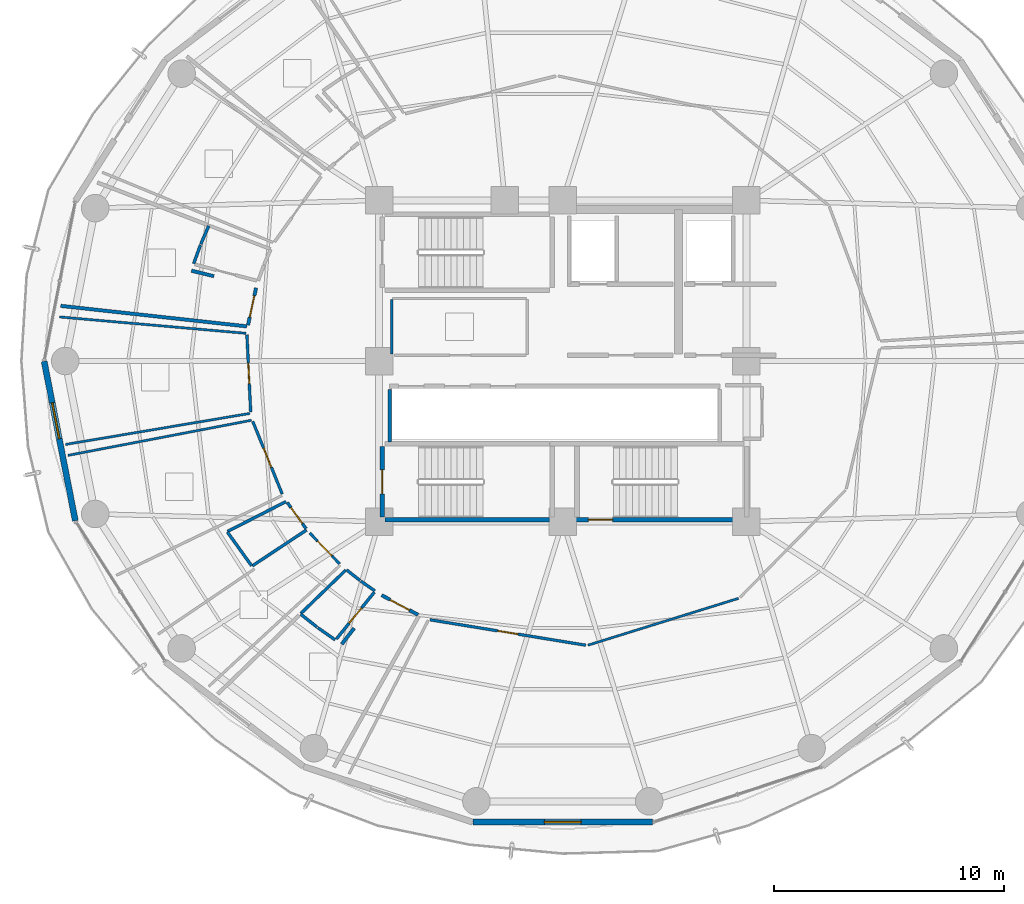
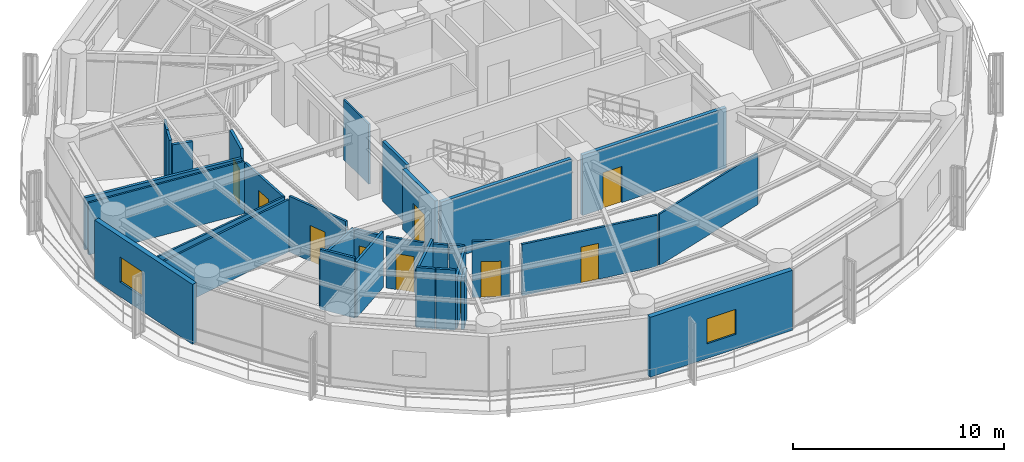
# One storey, part 22 of 28: 32 walls, 10 doors, 2 windows, 12 openings.
"""IFC4 building model written with IfcOpenShell, lengths in metres."""

from ifc_helpers import new_model, si_unit, direction, frame, frame_2d, origin, place, context, subcontext, project, spatial, rectangle, extrude, material, layer, layer_set, type_object, element, fill, save


model = new_model("IFC4")

# Units and contexts
model_context = context("Model", 3, precision=1e-05, world=origin(), true_north=direction((0.0, 1.0)))
body_context = subcontext(model_context, "Body", "Model", "MODEL_VIEW")
ifc_project = project(units=[si_unit("LENGTHUNIT", "METRE"), si_unit("AREAUNIT", "SQUARE_METRE"), si_unit("VOLUMEUNIT", "CUBIC_METRE"), si_unit("PLANEANGLEUNIT", "RADIAN"), si_unit("MASSUNIT", "GRAM", prefix="KILO")], contexts=[model_context])

# Site, building, storey
site_placement = place(None, origin())
site = spatial("IfcSite", under=ifc_project, at=site_placement, CompositionType="ELEMENT")
building_placement = place(site_placement, origin())
building = spatial("IfcBuilding", under=site, at=building_placement, Name="Kelanora Arch Commons", CompositionType="ELEMENT")
storey_placement = place(building_placement, frame((0.0, 0.0, 158.10009765625)))
storey = spatial("IfcBuildingStorey", under=building, at=storey_placement, Name="L40", CompositionType="ELEMENT", Elevation=158.10009765625)

# Wall
ifc_material_1 = material(Name="Autoclaved aerated concrete blockwork with fire plaster", Category="masonry")
ifc_layer_1 = layer(ifc_material_1, 0.14990234375)
ifc_layer_set_1 = layer_set([ifc_layer_1], Name="Autoclaved aerated concrete blockwork with fire plaster")
wall_type_1 = type_object("IfcWallType", Name="W-COMP-150", PredefinedType="PARTITIONING", material=ifc_layer_set_1)
wall_1_placement = place(storey_placement, frame((66.4599609375, 54.47998046875, 0.0), z_axis=(0.0, 0.0, 1.0), x_axis=(0.0, 1.0, 0.0)))
element("IfcWall", 1, at=wall_1_placement, inside=storey, type_object=wall_type_1, Name="South Lift Bank West Wall L40", PredefinedType="PARTITIONING", context=body_context, shape_type="SweptSolid", body=[
    extrude(rectangle(XDim=2.2900390625, YDim=0.14990234375, at=frame_2d((1.14501953125, 0.0))), origin(), (0.0, 0.0, 1.0), 3.47998046875),
])

# Wall, opening, door
wall_2_placement = place(storey_placement, frame((60.63623046875, 61.186279296875, 0.0), z_axis=(0.0, 0.0, 1.0), x_axis=(-0.211879832264, -0.977295726318, 0.0)))
wall_2 = element("IfcWall", 2, at=wall_2_placement, inside=storey, type_object=wall_type_1, Name="Cluster Bedroom L40-03 Entry Partition", PredefinedType="PARTITIONING", context=body_context, shape_type="SweptSolid", body=[
    extrude(rectangle(XDim=1.6591796875, YDim=0.14990234375, at=frame_2d((0.82958984375, 0.0))), origin(), (0.0, 0.0, 1.0), 3.47998046875),
])
opening_1_placement = place(wall_2_placement, frame((0.35498046875, 0.0, 0.0)))
opening_1 = element("IfcOpeningElement", 3, at=opening_1_placement, cuts=wall_2, Name="Opening D-CLU1", PredefinedType="OPENING", context=body_context, shape_type="SweptSolid", body=[
    extrude(rectangle(XDim=0.949951171875, YDim=2.080078125, at=frame_2d((0.47509765625, 1.0400390625))), frame((0.0, 0.0849609375, 0.0), z_axis=(0.0, -1.0, 0.0), x_axis=(1.0, 0.0, 0.0)), (0.0, 0.0, 1.0), 0.169921875),
])
ifc_material_2 = material(Name="Solid-core acoustic timber cluster entry fire door", Category="wood")
door_type_1 = type_object("IfcDoorType", Name="D-CLU-95", OperationType="NOTDEFINED", PredefinedType="DOOR", material=ifc_material_2)
door_1_placement = place(opening_1_placement, origin())
door_1 = element("IfcDoor", 4, at=door_1_placement, inside=storey, type_object=door_type_1, Name="Cluster Bedroom L40-03 Door", OperationType="SINGLE_SWING_RIGHT", OverallHeight=2.080078125, OverallWidth=0.949951171875, PredefinedType="DOOR", context=body_context, shape_type="SweptSolid", body=[
    extrude(rectangle(XDim=0.949951171875, YDim=2.080078125, at=frame_2d((0.47509765625, 1.0400390625))), frame((0.0, 0.02490234375, 0.0), z_axis=(0.0, -1.0, 0.0), x_axis=(1.0, 0.0, 0.0)), (0.0, 0.0, 1.0), 0.050048828125),
])
fill(opening_1, door_1)

wall_3_placement = place(storey_placement, frame((66.105712890625, 47.798583984375, 0.0), z_axis=(0.0, 0.0, 1.0), x_axis=(0.880052757217, -0.474875925389, 0.0)))
wall_3 = element("IfcWall", 5, at=wall_3_placement, inside=storey, type_object=wall_type_1, Name="Cluster Bedroom L40-07 Entry Partition", PredefinedType="PARTITIONING", context=body_context, shape_type="SweptSolid", body=[
    extrude(rectangle(XDim=1.800537109375, YDim=0.14990234375, at=frame_2d((0.900390625, 0.0))), origin(), (0.0, 0.0, 1.0), 3.23486328125),
])
opening_2_placement = place(wall_3_placement, frame((0.425048828125, 0.0, 0.0)))
opening_2 = element("IfcOpeningElement", 6, at=opening_2_placement, cuts=wall_3, Name="Opening D-CLU1", PredefinedType="OPENING", context=body_context, shape_type="SweptSolid", body=[
    extrude(rectangle(XDim=0.949951171875, YDim=2.080078125, at=frame_2d((0.47509765625, 1.0400390625))), frame((0.0, 0.0849609375, 0.0), z_axis=(0.0, -1.0, 0.0), x_axis=(1.0, 0.0, 0.0)), (0.0, 0.0, 1.0), 0.169921875),
])
door_2_placement = place(opening_2_placement, origin())
door_2 = element("IfcDoor", 7, at=door_2_placement, inside=storey, type_object=door_type_1, Name="Cluster Bedroom L40-07 Door", OperationType="SINGLE_SWING_RIGHT", OverallHeight=2.080078125, OverallWidth=0.949951171875, PredefinedType="DOOR", context=body_context, shape_type="SweptSolid", body=[
    extrude(rectangle(XDim=0.949951171875, YDim=2.080078125, at=frame_2d((0.47509765625, 1.0400390625))), frame((0.0, 0.02490234375, 0.0), z_axis=(0.0, -1.0, 0.0), x_axis=(1.0, 0.0, 0.0)), (0.0, 0.0, 1.0), 0.050048828125),
])
fill(opening_2, door_2)

# Walls
wall_4_placement = place(storey_placement, frame((60.232177734375, 59.510498046875, 0.0), z_axis=(0.0, 0.0, 1.0), x_axis=(-0.993990557846, 0.109465843587, 0.0)))
element("IfcWall", 8, at=wall_4_placement, inside=storey, type_object=wall_type_1, Name="Cluster Bedroom L40-03 Enclosure Partition 2", PredefinedType="PARTITIONING", context=body_context, shape_type="SweptSolid", body=[
    extrude(rectangle(XDim=8.158447265625, YDim=0.14990234375, at=frame_2d((4.0791015625, 0.0))), origin(), (0.0, 0.0, 1.0), 3.02490234375),
])
wall_5_placement = place(storey_placement, frame((57.82080078125, 61.935546875, 0.0), z_axis=(0.0, 0.0, 1.0), x_axis=(0.971451046406, -0.237240098712, 0.0)))
element("IfcWall", 9, at=wall_5_placement, inside=storey, type_object=wall_type_1, Name="Cluster Bedroom L40-03 Enclosure Partition 7", PredefinedType="PARTITIONING", context=body_context, shape_type="SweptSolid", body=[
    extrude(rectangle(XDim=1.009521484375, YDim=0.14990234375, at=frame_2d((0.5048828125, 0.0))), origin(), (0.0, 0.0, 1.0), 3.1748046875),
])
wall_6_placement = place(storey_placement, frame((64.37060546875, 45.66357421875, 0.0), z_axis=(0.0, 0.0, 1.0), x_axis=(0.613921364126, 0.789367188747, 0.0)))
element("IfcWall", 10, at=wall_6_placement, inside=storey, type_object=wall_type_1, Name="Cluster Bedroom L40-07 Enclosure Partition 7", PredefinedType="PARTITIONING", context=body_context, shape_type="SweptSolid", body=[
    extrude(rectangle(XDim=0.878173828125, YDim=0.14990234375, at=frame_2d((0.43896484375, 0.0))), origin(), (0.0, 0.0, 1.0), 2.974853515625),
])

# Wall, opening, window
ifc_material_3 = material(Name="Precast concrete C40/50 with terracotta rainscreen", Category="masonry")
ifc_layer_2 = layer(ifc_material_3, 0.260009765625)
ifc_layer_set_2 = layer_set([ifc_layer_2], Name="Precast concrete C40/50 with terracotta rainscreen")
wall_type_2 = type_object("IfcWallType", Name="W-EXT-TC", PredefinedType="SOLIDWALL", material=ifc_layer_set_2)
wall_7_placement = place(storey_placement, frame((51.40283203125, 57.9853515625, 0.0), z_axis=(0.0, 0.0, 1.0), x_axis=(0.191716984769, -0.981450252306, 0.0)))
wall_7 = element("IfcWall", 11, at=wall_7_placement, inside=storey, type_object=wall_type_2, Name="Terracotta Exterior Wall L40-B09", PredefinedType="SOLIDWALL", context=body_context, shape_type="SweptSolid", body=[
    extrude(rectangle(XDim=7.0791015625, YDim=0.260009765625, at=frame_2d((3.53955078125, 0.0))), origin(), (0.0, 0.0, 1.0), 3.474853515625),
])
opening_3_placement = place(wall_7_placement, frame((1.840087890625, 0.0, 0.85009765625)))
opening_3 = element("IfcOpeningElement", 12, at=opening_3_placement, cuts=wall_7, Name="Opening WN-01", PredefinedType="OPENING", context=body_context, shape_type="SweptSolid", body=[
    extrude(rectangle(XDim=1.60009765625, YDim=1.449951171875, at=frame_2d((0.800048828125, 0.72509765625))), frame((0.0, 0.14013671875, 0.0), z_axis=(0.0, -1.0, 0.0), x_axis=(1.0, 0.0, 0.0)), (0.0, 0.0, 1.0), 0.280029296875),
])
ifc_material_4 = material(Name="Terracotta-anodised aluminium frame with operable low-E glazing", Category="masonry")
window_type = type_object("IfcWindowType", Name="WIN-CL-18", PartitioningType="DOUBLE_PANEL_VERTICAL", PredefinedType="WINDOW", material=ifc_material_4)
window_1_placement = place(opening_3_placement, origin())
window_1 = element("IfcWindow", 13, at=window_1_placement, inside=storey, type_object=window_type, Name="Co-Living Operable Window L40-B09", OverallHeight=1.449951171875, OverallWidth=1.60009765625, PartitioningType="SINGLE_PANEL", PredefinedType="WINDOW", context=body_context, shape_type="SweptSolid", body=[
    extrude(rectangle(XDim=1.60009765625, YDim=1.449951171875, at=frame_2d((0.800048828125, 0.72509765625))), frame((0.0, 0.030029296875, 0.0), z_axis=(0.0, -1.0, 0.0), x_axis=(1.0, 0.0, 0.0)), (0.0, 0.0, 1.0), 0.06005859375),
])
fill(opening_3, window_1)

wall_8_placement = place(storey_placement, frame((70.090576171875, 37.909912109375, 0.0), z_axis=(0.0, 0.0, 1.0), x_axis=(1.0, 0.0, 0.0)))
wall_8 = element("IfcWall", 14, at=wall_8_placement, inside=storey, type_object=wall_type_2, Name="Terracotta Exterior Wall L40-B13", PredefinedType="SOLIDWALL", context=body_context, shape_type="SweptSolid", body=[
    extrude(rectangle(XDim=7.81884765625, YDim=0.260009765625, at=frame_2d((3.909423828125, 0.0))), origin(), (0.0, 0.0, 1.0), 3.474853515625),
])
opening_4_placement = place(wall_8_placement, frame((3.10888671875, 0.0, 0.85009765625)))
opening_4 = element("IfcOpeningElement", 15, at=opening_4_placement, cuts=wall_8, Name="Opening WN-01", PredefinedType="OPENING", context=body_context, shape_type="SweptSolid", body=[
    extrude(rectangle(XDim=1.60009765625, YDim=1.449951171875, at=frame_2d((0.800048828125, 0.72509765625))), frame((0.0, 0.14013671875, 0.0), z_axis=(0.0, -1.0, 0.0), x_axis=(1.0, 0.0, 0.0)), (0.0, 0.0, 1.0), 0.280029296875),
])
window_2_placement = place(opening_4_placement, origin())
window_2 = element("IfcWindow", 16, at=window_2_placement, inside=storey, type_object=window_type, Name="Co-Living Operable Window L40-B13", OverallHeight=1.449951171875, OverallWidth=1.60009765625, PartitioningType="SINGLE_PANEL", PredefinedType="WINDOW", context=body_context, shape_type="SweptSolid", body=[
    extrude(rectangle(XDim=1.60009765625, YDim=1.449951171875, at=frame_2d((0.800048828125, 0.72509765625))), frame((0.0, 0.030029296875, 0.0), z_axis=(0.0, -1.0, 0.0), x_axis=(1.0, 0.0, 0.0)), (0.0, 0.0, 1.0), 0.06005859375),
])
fill(opening_4, window_2)

# Walls
ifc_material_5 = material(Name="Lightweight fire-rated acoustic stud partition")
ifc_layer_3 = layer(ifc_material_5, 0.10009765625)
ifc_layer_set_3 = layer_set([ifc_layer_3], Name="Lightweight fire-rated acoustic stud partition")
wall_type_3 = type_object("IfcWallType", Name="W-PART-100", PredefinedType="PARTITIONING", material=ifc_layer_set_3)
wall_9_placement = place(storey_placement, frame((66.550048828125, 60.679931640625, 0.0), z_axis=(0.0, 0.0, 1.0), x_axis=(0.0, -1.0, 0.0)))
element("IfcWall", 17, at=wall_9_placement, inside=storey, type_object=wall_type_3, Name="Reclaimed Core Study Pod Lounge L40 Enclosure Partition 4", PredefinedType="PARTITIONING", context=body_context, shape_type="SweptSolid", body=[
    extrude(rectangle(XDim=2.383056640625, YDim=0.10009765625, at=frame_2d((1.19140625, 0.0))), origin(), (0.0, 0.0, 1.0), 3.47998046875),
])
wall_10_placement = place(storey_placement, frame((75.09912109375, 45.618896484375, 0.0), z_axis=(0.0, 0.0, 1.0), x_axis=(0.95483862135, 0.297124901647, 0.0)))
element("IfcWall", 18, at=wall_10_placement, inside=storey, type_object=wall_type_3, Name="South-East Social Sky Lounge L40 Enclosure Partition 2", PredefinedType="PARTITIONING", context=body_context, shape_type="SweptSolid", body=[
    extrude(rectangle(XDim=6.86669921875, YDim=0.10009765625, at=frame_2d((3.433349609375, 0.0))), origin(), (0.0, 0.0, 1.0), 2.974853515625),
])
wall_11_placement = place(storey_placement, frame((60.364501953125, 55.71630859375, 0.0), z_axis=(0.0, 0.0, 1.0), x_axis=(-0.986127701838, -0.165988420279, 0.0)))
element("IfcWall", 19, at=wall_11_placement, inside=storey, type_object=wall_type_3, Name="Quiet Seminar Study Room L40-04 Enclosure Partition 2", PredefinedType="PARTITIONING", context=body_context, shape_type="SweptSolid", body=[
    extrude(rectangle(XDim=8.14404296875, YDim=0.10009765625, at=frame_2d((4.072021484375, 0.0))), origin(), (0.0, 0.0, 1.0), 3.02490234375),
])
wall_12_placement = place(storey_placement, frame((52.063720703125, 59.92138671875, 0.0), z_axis=(0.0, 0.0, 1.0), x_axis=(0.996168646625, -0.087453001553, 0.0)))
element("IfcWall", 20, at=wall_12_placement, inside=storey, type_object=wall_type_3, Name="Quiet Seminar Study Room L40-04 Enclosure Partition 4", PredefinedType="PARTITIONING", context=body_context, shape_type="SweptSolid", body=[
    extrude(rectangle(XDim=8.162841796875, YDim=0.10009765625, at=frame_2d((4.08154296875, 0.0))), origin(), (0.0, 0.0, 1.0), 3.02490234375),
])
wall_13_placement = place(storey_placement, frame((52.438232421875, 53.888427734375, 0.0), z_axis=(0.0, 0.0, 1.0), x_axis=(0.982187250003, 0.187904778897, 0.0)))
element("IfcWall", 21, at=wall_13_placement, inside=storey, type_object=wall_type_3, Name="Social Sky Lounge L40-05 Enclosure Partition 4", PredefinedType="PARTITIONING", context=body_context, shape_type="SweptSolid", body=[
    extrude(rectangle(XDim=8.137451171875, YDim=0.10009765625, at=frame_2d((4.06884765625, 0.0))), origin(), (0.0, 0.0, 1.0), 3.02490234375),
])

# Wall, opening, door
ifc_material_6 = material(Name="Acoustic twin-stud fire-rated gypsum partition")
ifc_layer_4 = layer(ifc_material_6, 0.1201171875)
ifc_layer_set_4 = layer_set([ifc_layer_4], Name="Acoustic twin-stud fire-rated gypsum partition")
wall_type_4 = type_object("IfcWallType", Name="W-PART-120", PredefinedType="PARTITIONING", material=ifc_layer_set_4)
wall_14_placement = place(storey_placement, frame((68.214111328125, 46.725341796875, 0.0), z_axis=(0.0, 0.0, 1.0), x_axis=(0.986922164317, -0.161197523493, 0.0)))
wall_14 = element("IfcWall", 22, at=wall_14_placement, inside=storey, type_object=wall_type_4, Name="South-East Social Sky Lounge L40 Entry Partition", PredefinedType="PARTITIONING", context=body_context, shape_type="SweptSolid", body=[
    extrude(rectangle(XDim=6.87744140625, YDim=0.1201171875, at=frame_2d((3.438720703125, 0.0))), origin(), (0.0, 0.0, 1.0), 2.974853515625),
])
opening_5_placement = place(wall_14_placement, frame((2.989013671875, 0.0, 0.0)))
opening_5 = element("IfcOpeningElement", 23, at=opening_5_placement, cuts=wall_14, Name="Opening D-RM1", PredefinedType="OPENING", context=body_context, shape_type="SweptSolid", body=[
    extrude(rectangle(XDim=0.89990234375, YDim=2.080078125, at=frame_2d((0.449951171875, 1.0400390625))), frame((0.0, 0.070068359375, 0.0), z_axis=(0.0, -1.0, 0.0), x_axis=(1.0, 0.0, 0.0)), (0.0, 0.0, 1.0), 0.14013671875),
])
ifc_material_7 = material(Name="Acoustic fire-rated timber study and lounge door", Category="wood")
door_type_2 = type_object("IfcDoorType", Name="D-ROOM-90", OperationType="NOTDEFINED", PredefinedType="DOOR", material=ifc_material_7)
door_3_placement = place(opening_5_placement, origin())
door_3 = element("IfcDoor", 24, at=door_3_placement, inside=storey, type_object=door_type_2, Name="South-East Social Sky Lounge L40 Door", OperationType="SINGLE_SWING_RIGHT", OverallHeight=2.080078125, OverallWidth=0.89990234375, PredefinedType="DOOR", context=body_context, shape_type="SweptSolid", body=[
    extrude(rectangle(XDim=0.89990234375, YDim=2.080078125, at=frame_2d((0.449951171875, 1.0400390625))), frame((0.0, 0.02490234375, 0.0), z_axis=(0.0, -1.0, 0.0), x_axis=(1.0, 0.0, 0.0)), (0.0, 0.0, 1.0), 0.050048828125),
])
fill(opening_5, door_3)

wall_15_placement = place(storey_placement, frame((60.23779296875, 59.14404296875, 0.0), z_axis=(0.0, 0.0, 1.0), x_axis=(0.048537190422, -0.998821375996, 0.0)))
wall_15 = element("IfcWall", 25, at=wall_15_placement, inside=storey, type_object=wall_type_4, Name="Quiet Seminar Study Room L40-04 Entry Partition", PredefinedType="PARTITIONING", context=body_context, shape_type="SweptSolid", body=[
    extrude(rectangle(XDim=3.364990234375, YDim=0.1201171875, at=frame_2d((1.6826171875, 0.0))), origin(), (0.0, 0.0, 1.0), 2.974853515625),
])
opening_6_placement = place(wall_15_placement, frame((1.23291015625, 0.0, 0.0)))
opening_6 = element("IfcOpeningElement", 26, at=opening_6_placement, cuts=wall_15, Name="Opening D-RM1", PredefinedType="OPENING", context=body_context, shape_type="SweptSolid", body=[
    extrude(rectangle(XDim=0.89990234375, YDim=2.080078125, at=frame_2d((0.449951171875, 1.0400390625))), frame((0.0, 0.070068359375, 0.0), z_axis=(0.0, -1.0, 0.0), x_axis=(1.0, 0.0, 0.0)), (0.0, 0.0, 1.0), 0.14013671875),
])
door_4_placement = place(opening_6_placement, origin())
door_4 = element("IfcDoor", 27, at=door_4_placement, inside=storey, type_object=door_type_2, Name="Quiet Seminar Study Room L40-04 Door", OperationType="SINGLE_SWING_LEFT", OverallHeight=2.080078125, OverallWidth=0.89990234375, PredefinedType="DOOR", context=body_context, shape_type="SweptSolid", body=[
    extrude(rectangle(XDim=0.89990234375, YDim=2.080078125, at=frame_2d((0.449951171875, 1.0400390625))), frame((0.0, 0.02490234375, 0.0), z_axis=(0.0, -1.0, 0.0), x_axis=(1.0, 0.0, 0.0)), (0.0, 0.0, 1.0), 0.050048828125),
])
fill(opening_6, door_4)

wall_16_placement = place(storey_placement, frame((60.492431640625, 55.369384765625, 0.0), z_axis=(0.0, 0.0, 1.0), x_axis=(0.3756420079, -0.926764847143, 0.0)))
wall_16 = element("IfcWall", 28, at=wall_16_placement, inside=storey, type_object=wall_type_4, Name="Social Sky Lounge L40-05 Entry Partition", PredefinedType="PARTITIONING", context=body_context, shape_type="SweptSolid", body=[
    extrude(rectangle(XDim=3.412841796875, YDim=0.1201171875, at=frame_2d((1.70654296875, 0.0))), origin(), (0.0, 0.0, 1.0), 3.23486328125),
])
opening_7_placement = place(wall_16_placement, frame((1.256103515625, 0.0, 0.0)))
opening_7 = element("IfcOpeningElement", 29, at=opening_7_placement, cuts=wall_16, Name="Opening D-RM1", PredefinedType="OPENING", context=body_context, shape_type="SweptSolid", body=[
    extrude(rectangle(XDim=0.89990234375, YDim=2.080078125, at=frame_2d((0.449951171875, 1.0400390625))), frame((0.0, 0.070068359375, 0.0), z_axis=(0.0, -1.0, 0.0), x_axis=(1.0, 0.0, 0.0)), (0.0, 0.0, 1.0), 0.14013671875),
])
door_5_placement = place(opening_7_placement, origin())
door_5 = element("IfcDoor", 30, at=door_5_placement, inside=storey, type_object=door_type_2, Name="Social Sky Lounge L40-05 Door", OperationType="SINGLE_SWING_RIGHT", OverallHeight=2.080078125, OverallWidth=0.89990234375, PredefinedType="DOOR", context=body_context, shape_type="SweptSolid", body=[
    extrude(rectangle(XDim=0.89990234375, YDim=2.080078125, at=frame_2d((0.449951171875, 1.0400390625))), frame((0.0, 0.02490234375, 0.0), z_axis=(0.0, -1.0, 0.0), x_axis=(1.0, 0.0, 0.0)), (0.0, 0.0, 1.0), 0.050048828125),
])
fill(opening_7, door_5)

wall_17_placement = place(storey_placement, frame((62.976806640625, 50.5, 0.0), z_axis=(0.0, 0.0, 1.0), x_axis=(0.69801962686, -0.71607862733, 0.0)))
wall_17 = element("IfcWall", 31, at=wall_17_placement, inside=storey, type_object=wall_type_4, Name="Tutorial Study Alcove L40-06 Entry Partition", PredefinedType="PARTITIONING", context=body_context, shape_type="SweptSolid", body=[
    extrude(rectangle(XDim=1.86572265625, YDim=0.1201171875, at=frame_2d((0.932861328125, 0.0))), origin(), (0.0, 0.0, 1.0), 2.974853515625),
])
opening_8_placement = place(wall_17_placement, frame((0.48291015625, 0.0, 0.0)))
opening_8 = element("IfcOpeningElement", 32, at=opening_8_placement, cuts=wall_17, Name="Opening D-RM1", PredefinedType="OPENING", context=body_context, shape_type="SweptSolid", body=[
    extrude(rectangle(XDim=0.89990234375, YDim=2.080078125, at=frame_2d((0.449951171875, 1.0400390625))), frame((0.0, 0.070068359375, 0.0), z_axis=(0.0, -1.0, 0.0), x_axis=(1.0, 0.0, 0.0)), (0.0, 0.0, 1.0), 0.14013671875),
])
door_6_placement = place(opening_8_placement, origin())
door_6 = element("IfcDoor", 33, at=door_6_placement, inside=storey, type_object=door_type_2, Name="Tutorial Study Alcove L40-06 Door", OperationType="SINGLE_SWING_RIGHT", OverallHeight=2.080078125, OverallWidth=0.89990234375, PredefinedType="DOOR", context=body_context, shape_type="SweptSolid", body=[
    extrude(rectangle(XDim=0.89990234375, YDim=2.080078125, at=frame_2d((0.449951171875, 1.0400390625))), frame((0.0, 0.02490234375, 0.0), z_axis=(0.0, -1.0, 0.0), x_axis=(1.0, 0.0, 0.0)), (0.0, 0.0, 1.0), 0.050048828125),
])
fill(opening_8, door_6)

ifc_material_8 = material(Name="Concrete C40/50", Category="concrete")
ifc_layer_5 = layer(ifc_material_8, 0.199951171875)
ifc_layer_set_5 = layer_set([ifc_layer_5], Name="Concrete C40/50")
wall_type_5 = type_object("IfcWallType", Name="W-STAIR-200", PredefinedType="SHEAR", material=ifc_layer_set_5)
wall_18_placement = place(storey_placement, frame((74.0, 51.080078125, 0.0), z_axis=(0.0, 0.0, 1.0), x_axis=(1.0, 0.0, 0.0)))
wall_18 = element("IfcWall", 34, at=wall_18_placement, inside=storey, type_object=wall_type_5, Name="Stair ST-T2 Shaft Wall S L40", PredefinedType="SHEAR", context=body_context, shape_type="SweptSolid", body=[
    extrude(rectangle(XDim=7.89990234375, YDim=0.199951171875, at=frame_2d((3.949951171875, 0.0))), origin(), (0.0, 0.0, 1.0), 3.489990234375),
])
opening_9_placement = place(wall_18_placement, frame((1.1201171875, 0.0, 0.0)))
opening_9 = element("IfcOpeningElement", 35, at=opening_9_placement, cuts=wall_18, Name="Opening D-ST1", PredefinedType="OPENING", context=body_context, shape_type="SweptSolid", body=[
    extrude(rectangle(XDim=1.050048828125, YDim=2.10009765625, at=frame_2d((0.52490234375, 1.050048828125))), frame((0.0, 0.10986328125, 0.0), z_axis=(0.0, -1.0, 0.0), x_axis=(1.0, 0.0, 0.0)), (0.0, 0.0, 1.0), 0.219970703125),
])
ifc_material_9 = material(Name="Steel fire-rated stairwell escape door", Category="steel")
door_type_3 = type_object("IfcDoorType", Name="D-STAIR-110", OperationType="NOTDEFINED", PredefinedType="DOOR", material=ifc_material_9)
door_7_placement = place(opening_9_placement, origin())
door_7 = element("IfcDoor", 36, at=door_7_placement, inside=storey, type_object=door_type_3, Name="Stair ST-T2 Escape Door L40", OperationType="SINGLE_SWING_LEFT", OverallHeight=2.10009765625, OverallWidth=1.050048828125, PredefinedType="DOOR", context=body_context, shape_type="SweptSolid", body=[
    extrude(rectangle(XDim=1.050048828125, YDim=2.10009765625, at=frame_2d((0.52490234375, 1.050048828125))), frame((0.0, 0.02490234375, 0.0), z_axis=(0.0, -1.0, 0.0), x_axis=(1.0, 0.0, 0.0)), (0.0, 0.0, 1.0), 0.050048828125),
])
fill(opening_9, door_7)

# Wall
wall_19_placement = place(storey_placement, frame((66.260009765625, 51.080078125, 0.0), z_axis=(0.0, 0.0, 1.0), x_axis=(1.0, 0.0, 0.0)))
element("IfcWall", 37, at=wall_19_placement, inside=storey, type_object=wall_type_5, Name="Stair ST-T3 Shaft Wall S L40", PredefinedType="SHEAR", context=body_context, shape_type="SweptSolid", body=[
    extrude(rectangle(XDim=7.159912109375, YDim=0.199951171875, at=frame_2d((3.580078125, 0.0))), origin(), (0.0, 0.0, 1.0), 3.489990234375),
])

# Wall, opening, door
wall_20_placement = place(storey_placement, frame((66.139892578125, 54.27001953125, 0.0), z_axis=(0.0, 0.0, 1.0), x_axis=(0.0, -1.0, 0.0)))
wall_20 = element("IfcWall", 38, at=wall_20_placement, inside=storey, type_object=wall_type_5, Name="Stair ST-T3 Shaft Wall W L40", PredefinedType="SHEAR", context=body_context, shape_type="SweptSolid", body=[
    extrude(rectangle(XDim=3.070068359375, YDim=0.199951171875, at=frame_2d((1.53515625, 0.0))), origin(), (0.0, 0.0, 1.0), 3.489990234375),
])
opening_10_placement = place(wall_20_placement, frame((1.010009765625, 0.0, 0.0)))
opening_10 = element("IfcOpeningElement", 39, at=opening_10_placement, cuts=wall_20, Name="Opening D-ST1", PredefinedType="OPENING", context=body_context, shape_type="SweptSolid", body=[
    extrude(rectangle(XDim=1.050048828125, YDim=2.10009765625, at=frame_2d((0.52490234375, 1.050048828125))), frame((0.0, 0.10986328125, 0.0), z_axis=(0.0, -1.0, 0.0), x_axis=(1.0, 0.0, 0.0)), (0.0, 0.0, 1.0), 0.219970703125),
])
door_8_placement = place(opening_10_placement, origin())
door_8 = element("IfcDoor", 40, at=door_8_placement, inside=storey, type_object=door_type_3, Name="Stair ST-T3 Escape Door L40", OperationType="SINGLE_SWING_LEFT", OverallHeight=2.10009765625, OverallWidth=1.050048828125, PredefinedType="DOOR", context=body_context, shape_type="SweptSolid", body=[
    extrude(rectangle(XDim=1.050048828125, YDim=2.10009765625, at=frame_2d((0.52490234375, 1.050048828125))), frame((0.0, 0.02490234375, 0.0), z_axis=(0.0, -1.0, 0.0), x_axis=(1.0, 0.0, 0.0)), (0.0, 0.0, 1.0), 0.050048828125),
])
fill(opening_10, door_8)

ifc_material_10 = material(Name="Moisture-resistant fire-rated cement-board plumbing wall")
ifc_layer_6 = layer(ifc_material_10, 0.1298828125)
ifc_layer_set_6 = layer_set([ifc_layer_6], Name="Moisture-resistant fire-rated cement-board plumbing wall")
wall_type_6 = type_object("IfcWallType", Name="W-WET-120", PredefinedType="PLUMBINGWALL", material=ifc_layer_set_6)
wall_21_placement = place(storey_placement, frame((61.9951171875, 51.836181640625, 0.0), z_axis=(0.0, 0.0, 1.0), x_axis=(0.583589438572, -0.81204886995, 0.0)))
wall_21 = element("IfcWall", 41, at=wall_21_placement, inside=storey, type_object=wall_type_6, Name="Accessible Shared Floor WC L40-06 Entry Partition", PredefinedType="PLUMBINGWALL", context=body_context, shape_type="SweptSolid", body=[
    extrude(rectangle(XDim=1.403076171875, YDim=0.1298828125, at=frame_2d((0.70166015625, 0.0))), origin(), (0.0, 0.0, 1.0), 2.974853515625),
])
opening_11_placement = place(wall_21_placement, frame((0.27197265625, 0.0, 0.0)))
opening_11 = element("IfcOpeningElement", 42, at=opening_11_placement, cuts=wall_21, Name="Opening D-BT1", PredefinedType="OPENING", context=body_context, shape_type="SweptSolid", body=[
    extrude(rectangle(XDim=0.860107421875, YDim=2.050048828125, at=frame_2d((0.43017578125, 1.02490234375))), frame((0.0, 0.074951171875, 0.0), z_axis=(0.0, -1.0, 0.0), x_axis=(1.0, 0.0, 0.0)), (0.0, 0.0, 1.0), 0.14990234375),
])
ifc_material_11 = material(Name="Moisture-sealed fire-rated accessible bathroom door")
door_type_4 = type_object("IfcDoorType", Name="D-BATH-85", OperationType="NOTDEFINED", PredefinedType="DOOR", material=ifc_material_11)
door_9_placement = place(opening_11_placement, origin())
door_9 = element("IfcDoor", 43, at=door_9_placement, inside=storey, type_object=door_type_4, Name="Accessible Shared Floor WC L40-06 Door", OperationType="SINGLE_SWING_LEFT", OverallHeight=2.050048828125, OverallWidth=0.860107421875, PredefinedType="DOOR", context=body_context, shape_type="SweptSolid", body=[
    extrude(rectangle(XDim=0.860107421875, YDim=2.050048828125, at=frame_2d((0.43017578125, 1.02490234375))), frame((0.0, 0.02490234375, 0.0), z_axis=(0.0, -1.0, 0.0), x_axis=(1.0, 0.0, 0.0)), (0.0, 0.0, 1.0), 0.050048828125),
])
fill(opening_11, door_9)

wall_22_placement = place(storey_placement, frame((65.789306640625, 47.926513671875, 0.0), z_axis=(0.0, 0.0, 1.0), x_axis=(-0.630358119741, -0.776304476914, 0.0)))
wall_22 = element("IfcWall", 44, at=wall_22_placement, inside=storey, type_object=wall_type_6, Name="En-Suite Shower WC L40-07 Entry Partition", PredefinedType="PLUMBINGWALL", context=body_context, shape_type="SweptSolid", body=[
    extrude(rectangle(XDim=2.626220703125, YDim=0.1298828125, at=frame_2d((1.31298828125, 0.0))), origin(), (0.0, 0.0, 1.0), 2.974853515625),
])
opening_12_placement = place(wall_22_placement, frame((0.883056640625, 0.0, 0.0)))
opening_12 = element("IfcOpeningElement", 45, at=opening_12_placement, cuts=wall_22, Name="Opening D-BT1", PredefinedType="OPENING", context=body_context, shape_type="SweptSolid", body=[
    extrude(rectangle(XDim=0.860107421875, YDim=2.050048828125, at=frame_2d((0.43017578125, 1.02490234375))), frame((0.0, 0.074951171875, 0.0), z_axis=(0.0, -1.0, 0.0), x_axis=(1.0, 0.0, 0.0)), (0.0, 0.0, 1.0), 0.14990234375),
])
door_10_placement = place(opening_12_placement, origin())
door_10 = element("IfcDoor", 46, at=door_10_placement, inside=storey, type_object=door_type_4, Name="En-Suite Shower WC L40-07 Door", OperationType="SINGLE_SWING_LEFT", OverallHeight=2.050048828125, OverallWidth=0.860107421875, PredefinedType="DOOR", context=body_context, shape_type="SweptSolid", body=[
    extrude(rectangle(XDim=0.860107421875, YDim=2.050048828125, at=frame_2d((0.43017578125, 1.02490234375))), frame((0.0, 0.02490234375, 0.0), z_axis=(0.0, -1.0, 0.0), x_axis=(1.0, 0.0, 0.0)), (0.0, 0.0, 1.0), 0.050048828125),
])
fill(opening_12, door_10)

# Walls
wall_23_placement = place(storey_placement, frame((57.918701171875, 62.243896484375, 0.0), z_axis=(0.0, 0.0, 1.0), x_axis=(0.339790338004, 0.9405012101, 0.0)))
element("IfcWall", 47, at=wall_23_placement, inside=storey, type_object=wall_type_6, Name="En-Suite Shower WC L40-03 Enclosure Partition 4", PredefinedType="PLUMBINGWALL", context=body_context, shape_type="SweptSolid", body=[
    extrude(rectangle(XDim=0.863525390625, YDim=0.1298828125, at=frame_2d((0.431640625, 0.0))), origin(), (0.0, 0.0, 1.0), 3.1748046875),
])
wall_24_placement = place(storey_placement, frame((58.22705078125, 63.09326171875, 0.0), z_axis=(0.0, 0.0, 1.0), x_axis=(0.39925148709, 0.916841453064, 0.0)))
element("IfcWall", 48, at=wall_24_placement, inside=storey, type_object=wall_type_6, Name="En-Suite Shower WC L40-03 Enclosure Partition 5", PredefinedType="PLUMBINGWALL", context=body_context, shape_type="SweptSolid", body=[
    extrude(rectangle(XDim=0.866455078125, YDim=0.1298828125, at=frame_2d((0.43310546875, 0.0))), origin(), (0.0, 0.0, 1.0), 3.1748046875),
])
wall_25_placement = place(storey_placement, frame((62.832275390625, 50.636962890625, 0.0), z_axis=(0.0, 0.0, 1.0), x_axis=(-0.833743735775, -0.55215159427, 0.0)))
element("IfcWall", 49, at=wall_25_placement, inside=storey, type_object=wall_type_6, Name="Accessible Shared Floor WC L40-06 Enclosure Partition 2", PredefinedType="PLUMBINGWALL", context=body_context, shape_type="SweptSolid", body=[
    extrude(rectangle(XDim=2.83251953125, YDim=0.1298828125, at=frame_2d((1.416259765625, 0.0))), origin(), (0.0, 0.0, 1.0), 3.23486328125),
])
wall_26_placement = place(storey_placement, frame((60.4423828125, 49.078125, 0.0), z_axis=(0.0, 0.0, 1.0), x_axis=(-0.583480474688, 0.812127167172, 0.0)))
element("IfcWall", 50, at=wall_26_placement, inside=storey, type_object=wall_type_6, Name="Accessible Shared Floor WC L40-06 Enclosure Partition 3", PredefinedType="PLUMBINGWALL", context=body_context, shape_type="SweptSolid", body=[
    extrude(rectangle(XDim=1.81103515625, YDim=0.1298828125, at=frame_2d((0.905517578125, 0.0))), origin(), (0.0, 0.0, 1.0), 3.47998046875),
])
wall_27_placement = place(storey_placement, frame((59.391845703125, 50.57421875, 0.0), z_axis=(0.0, 0.0, 1.0), x_axis=(0.890678731245, 0.45463325627, 0.0)))
element("IfcWall", 51, at=wall_27_placement, inside=storey, type_object=wall_type_6, Name="Accessible Shared Floor WC L40-06 Enclosure Partition 4", PredefinedType="PLUMBINGWALL", context=body_context, shape_type="SweptSolid", body=[
    extrude(rectangle(XDim=2.86328125, YDim=0.1298828125, at=frame_2d((1.431640625, 0.0))), origin(), (0.0, 0.0, 1.0), 2.974853515625),
])
wall_28_placement = place(storey_placement, frame((64.580810546875, 48.898681640625, 0.0), z_axis=(0.0, 0.0, 1.0), x_axis=(0.785042223167, -0.619442255456, 0.0)))
element("IfcWall", 52, at=wall_28_placement, inside=storey, type_object=wall_type_6, Name="En-Suite Shower WC L40-07 Enclosure Partition 1", PredefinedType="PLUMBINGWALL", context=body_context, shape_type="SweptSolid", body=[
    extrude(rectangle(XDim=0.74462890625, YDim=0.1298828125, at=frame_2d((0.372314453125, 0.0))), origin(), (0.0, 0.0, 1.0), 2.974853515625),
])
wall_29_placement = place(storey_placement, frame((65.197509765625, 48.41357421875, 0.0), z_axis=(0.0, 0.0, 1.0), x_axis=(0.819339212877, -0.573309039038, 0.0)))
element("IfcWall", 53, at=wall_29_placement, inside=storey, type_object=wall_type_6, Name="En-Suite Shower WC L40-07 Enclosure Partition 2", PredefinedType="PLUMBINGWALL", context=body_context, shape_type="SweptSolid", body=[
    extrude(rectangle(XDim=0.748291015625, YDim=0.1298828125, at=frame_2d((0.3740234375, 0.0))), origin(), (0.0, 0.0, 1.0), 2.974853515625),
])
wall_30_placement = place(storey_placement, frame((64.07958984375, 45.8525390625, 0.0), z_axis=(0.0, 0.0, 1.0), x_axis=(-0.819219412421, 0.57348021266, 0.0)))
element("IfcWall", 54, at=wall_30_placement, inside=storey, type_object=wall_type_6, Name="En-Suite Shower WC L40-07 Enclosure Partition 4", PredefinedType="PLUMBINGWALL", context=body_context, shape_type="SweptSolid", body=[
    extrude(rectangle(XDim=0.9169921875, YDim=0.1298828125, at=frame_2d((0.45849609375, 0.0))), origin(), (0.0, 0.0, 1.0), 3.47998046875),
])
wall_31_placement = place(storey_placement, frame((63.29638671875, 46.40234375, 0.0), z_axis=(0.0, 0.0, 1.0), x_axis=(-0.783920729318, 0.620860926573, 0.0)))
element("IfcWall", 55, at=wall_31_placement, inside=storey, type_object=wall_type_6, Name="En-Suite Shower WC L40-07 Enclosure Partition 5", PredefinedType="PLUMBINGWALL", context=body_context, shape_type="SweptSolid", body=[
    extrude(rectangle(XDim=0.910400390625, YDim=0.1298828125, at=frame_2d((0.455078125, 0.0))), origin(), (0.0, 0.0, 1.0), 3.47998046875),
])
wall_32_placement = place(storey_placement, frame((62.581298828125, 46.993896484375, 0.0), z_axis=(0.0, 0.0, 1.0), x_axis=(0.719038860306, 0.694969867958, 0.0)))
element("IfcWall", 56, at=wall_32_placement, inside=storey, type_object=wall_type_6, Name="En-Suite Shower WC L40-07 Enclosure Partition 6", PredefinedType="PLUMBINGWALL", context=body_context, shape_type="SweptSolid", body=[
    extrude(rectangle(XDim=2.73876953125, YDim=0.1298828125, at=frame_2d((1.369384765625, 0.0))), origin(), (0.0, 0.0, 1.0), 3.23486328125),
])

save(model, "model.ifc")
